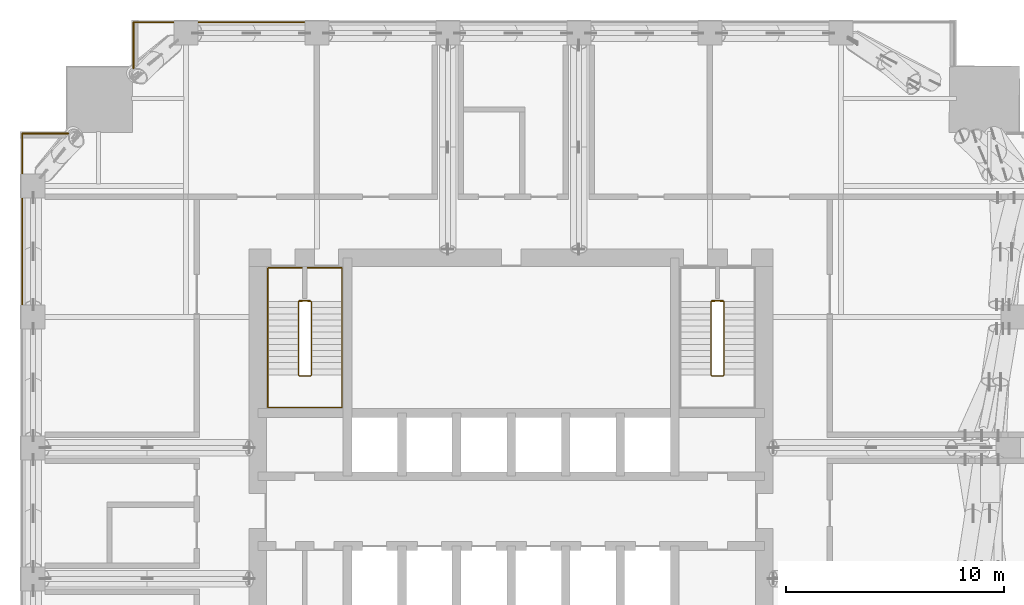
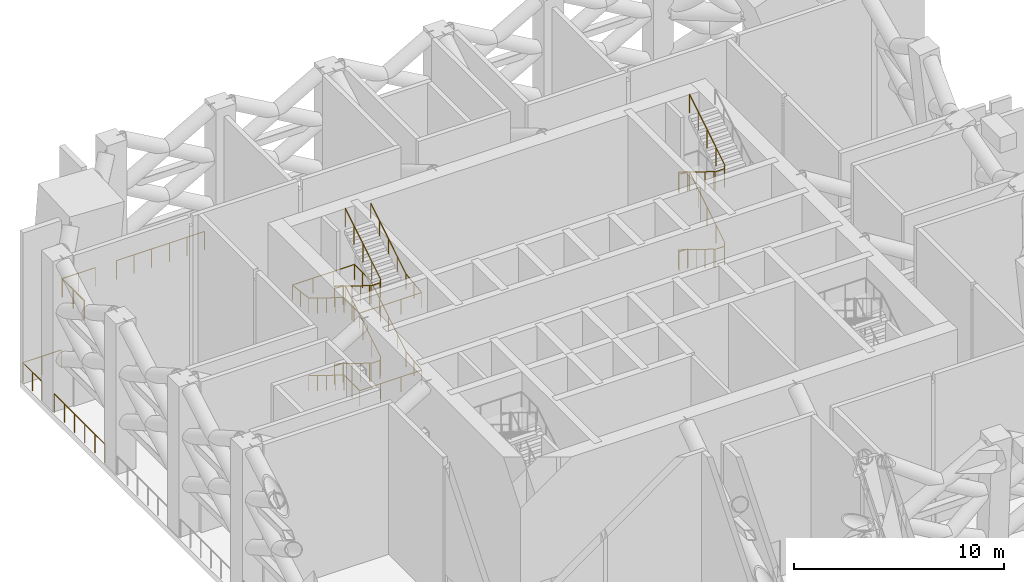
# One storey, part 18 of 19: 9 railings.
"""IFC4 building model written with IfcOpenShell, lengths in metres."""

from ifc_helpers import new_model, si_unit, direction, frame, origin, origin_2d, place, context, subcontext, project, spatial, circle, extrude, material, type_object, element, save


model = new_model("IFC4")

# Units and contexts
model_context = context("Model", 3, precision=1e-05, world=origin(), true_north=direction((0.0, 1.0)))
body_context = subcontext(model_context, "Body", "Model", "MODEL_VIEW")
ifc_project = project(units=[si_unit("LENGTHUNIT", "METRE"), si_unit("AREAUNIT", "SQUARE_METRE"), si_unit("VOLUMEUNIT", "CUBIC_METRE"), si_unit("PLANEANGLEUNIT", "RADIAN"), si_unit("MASSUNIT", "GRAM", prefix="KILO")], contexts=[model_context])

# Site, building, storey
site_placement = place(None, origin())
site = spatial("IfcSite", under=ifc_project, at=site_placement, CompositionType="ELEMENT")
building_placement = place(site_placement, origin())
building = spatial("IfcBuilding", under=site, at=building_placement, Name="Amberfall Residences", CompositionType="ELEMENT")
storey_placement = place(building_placement, frame((0.0, 0.0, 124.89990234375)))
storey = spatial("IfcBuildingStorey", under=building, at=storey_placement, Name="L34", CompositionType="ELEMENT", Elevation=124.89990234375)

# Railings
ifc_material_1 = material(Name="Bronze anodised aluminium and laminated glass", Category="aluminium")
railing_type_1 = type_object("IfcRailingType", Name="Refuge edge guard 1100", PredefinedType="GUARDRAIL", material=ifc_material_1)
railing_1_placement = place(storey_placement, frame((52.10009765625, 54.97998046875, 0.0)))
element("IfcRailing", 1, at=railing_1_placement, inside=storey, type_object=railing_type_1, Name="Refuge edge guard L34 19", PredefinedType="GUARDRAIL", context=body_context, shape_type="SweptSolid", body=[
    extrude(circle(Radius=0.02392578125, at=origin_2d()), frame((0.0, 0.0, 1.076171875), z_axis=(0.0, 1.0, 0.0), x_axis=(-1.0, 0.0, 0.0)), (0.0, 0.0, 1.0), 4.840087890625),
    extrude(circle(Radius=0.02099609375, at=origin_2d()), origin(), (0.0, 0.0, 1.0), 1.052001953125),
    extrude(circle(Radius=0.02099609375, at=origin_2d()), frame((0.0, 0.968017578125, 0.0)), (0.0, 0.0, 1.0), 1.052001953125),
    extrude(circle(Radius=0.02099609375, at=origin_2d()), frame((0.0, 1.93603515625, 0.0)), (0.0, 0.0, 1.0), 1.052001953125),
    extrude(circle(Radius=0.02099609375, at=origin_2d()), frame((0.0, 2.904052734375, 0.0)), (0.0, 0.0, 1.0), 1.052001953125),
    extrude(circle(Radius=0.02099609375, at=origin_2d()), frame((0.0, 3.8720703125, 0.0)), (0.0, 0.0, 1.0), 1.052001953125),
    extrude(circle(Radius=0.02099609375, at=origin_2d()), frame((0.0, 4.840087890625, 0.0)), (0.0, 0.0, 1.0), 1.052001953125),
])
railing_2_placement = place(storey_placement, frame((52.10009765625, 60.97998046875, 0.0)))
element("IfcRailing", 2, at=railing_2_placement, inside=storey, type_object=railing_type_1, Name="Refuge edge guard L34 20", PredefinedType="GUARDRAIL", context=body_context, shape_type="SweptSolid", body=[
    extrude(circle(Radius=0.02392578125, at=origin_2d()), frame((0.0, 0.0, 1.076171875), z_axis=(0.0, 1.0, 0.0), x_axis=(-1.0, 0.0, 0.0)), (0.0, 0.0, 1.0), 1.820068359375),
    extrude(circle(Radius=0.02099609375, at=origin_2d()), origin(), (0.0, 0.0, 1.0), 1.052001953125),
    extrude(circle(Radius=0.02099609375, at=origin_2d()), frame((0.0, 0.91015625, 0.0)), (0.0, 0.0, 1.0), 1.052001953125),
    extrude(circle(Radius=0.02099609375, at=origin_2d()), frame((0.0, 1.820068359375, 0.0)), (0.0, 0.0, 1.0), 1.052001953125),
])
railing_3_placement = place(storey_placement, frame((52.10009765625, 62.800048828125, 0.0)))
element("IfcRailing", 3, at=railing_3_placement, inside=storey, type_object=railing_type_1, Name="Refuge edge guard L34 21", PredefinedType="GUARDRAIL", context=body_context, shape_type="SweptSolid", body=[
    extrude(circle(Radius=0.02392578125, at=origin_2d()), frame((0.0, 0.0, 1.076171875), z_axis=(1.0, 0.0, 0.0), x_axis=(0.0, 1.0, 0.0)), (0.0, 0.0, 1.0), 2.108154296875),
    extrude(circle(Radius=0.02099609375, at=origin_2d()), origin(), (0.0, 0.0, 1.0), 1.052001953125),
    extrude(circle(Radius=0.02099609375, at=origin_2d()), frame((1.05419921875, 0.0, 0.0)), (0.0, 0.0, 1.0), 1.052001953125),
    extrude(circle(Radius=0.02099609375, at=origin_2d()), frame((2.108154296875, 0.0, 0.0)), (0.0, 0.0, 1.0), 1.052001953125),
])
railing_4_placement = place(storey_placement, frame((57.199951171875, 65.791748046875, 0.0)))
element("IfcRailing", 4, at=railing_4_placement, inside=storey, type_object=railing_type_1, Name="Refuge edge guard L34 22", PredefinedType="GUARDRAIL", context=body_context, shape_type="SweptSolid", body=[
    extrude(circle(Radius=0.02392578125, at=origin_2d()), frame((0.0, 0.0, 1.076171875), z_axis=(0.0, 1.0, 0.0), x_axis=(-1.0, 0.0, 0.0)), (0.0, 0.0, 1.0), 2.108154296875),
    extrude(circle(Radius=0.02099609375, at=origin_2d()), origin(), (0.0, 0.0, 1.0), 1.052001953125),
    extrude(circle(Radius=0.02099609375, at=origin_2d()), frame((0.0, 1.05419921875, 0.0)), (0.0, 0.0, 1.0), 1.052001953125),
    extrude(circle(Radius=0.02099609375, at=origin_2d()), frame((0.0, 2.108154296875, 0.0)), (0.0, 0.0, 1.0), 1.052001953125),
])
railing_5_placement = place(storey_placement, frame((57.199951171875, 67.89990234375, 0.0)))
element("IfcRailing", 5, at=railing_5_placement, inside=storey, type_object=railing_type_1, Name="Refuge edge guard L34 23", PredefinedType="GUARDRAIL", context=body_context, shape_type="SweptSolid", body=[
    extrude(circle(Radius=0.02392578125, at=origin_2d()), frame((0.0, 0.0, 1.076171875), z_axis=(1.0, 0.0, 0.0), x_axis=(0.0, 1.0, 0.0)), (0.0, 0.0, 1.0), 1.820068359375),
    extrude(circle(Radius=0.02099609375, at=origin_2d()), origin(), (0.0, 0.0, 1.0), 1.052001953125),
    extrude(circle(Radius=0.02099609375, at=origin_2d()), frame((0.91015625, 0.0, 0.0)), (0.0, 0.0, 1.0), 1.052001953125),
    extrude(circle(Radius=0.02099609375, at=origin_2d()), frame((1.820068359375, 0.0, 0.0)), (0.0, 0.0, 1.0), 1.052001953125),
])
railing_6_placement = place(storey_placement, frame((60.179931640625, 67.89990234375, 0.0)))
element("IfcRailing", 6, at=railing_6_placement, inside=storey, type_object=railing_type_1, Name="Refuge edge guard L34 24", PredefinedType="GUARDRAIL", context=body_context, shape_type="SweptSolid", body=[
    extrude(circle(Radius=0.02392578125, at=origin_2d()), frame((0.0, 0.0, 1.076171875), z_axis=(1.0, 0.0, 0.0), x_axis=(0.0, 1.0, 0.0)), (0.0, 0.0, 1.0), 4.840087890625),
    extrude(circle(Radius=0.02099609375, at=origin_2d()), origin(), (0.0, 0.0, 1.0), 1.052001953125),
    extrude(circle(Radius=0.02099609375, at=origin_2d()), frame((0.968017578125, 0.0, 0.0)), (0.0, 0.0, 1.0), 1.052001953125),
    extrude(circle(Radius=0.02099609375, at=origin_2d()), frame((1.93603515625, 0.0, 0.0)), (0.0, 0.0, 1.0), 1.052001953125),
    extrude(circle(Radius=0.02099609375, at=origin_2d()), frame((2.904052734375, 0.0, 0.0)), (0.0, 0.0, 1.0), 1.052001953125),
    extrude(circle(Radius=0.02099609375, at=origin_2d()), frame((3.8720703125, 0.0, 0.0)), (0.0, 0.0, 1.0), 1.052001953125),
    extrude(circle(Radius=0.02099609375, at=origin_2d()), frame((4.840087890625, 0.0, 0.0)), (0.0, 0.0, 1.0), 1.052001953125),
])
ifc_material_2 = material(Name="Stainless steel 316", Category="steel")
railing_type_2 = type_object("IfcRailingType", Name="Stair guard 1100", PredefinedType="GUARDRAIL", material=ifc_material_2)
railing_7_placement = place(storey_placement, frame((84.199951171875, 55.14990234375, 0.0)))
element("IfcRailing", 7, at=railing_7_placement, inside=storey, type_object=railing_type_2, Name="L34 stair 3 guard", PredefinedType="GUARDRAIL", context=body_context, shape_type="SweptSolid", body=[
    extrude(circle(Radius=0.02392578125, at=origin_2d()), frame((0.0, 0.0, 1.076171875), z_axis=(-1.0, 0.0, 0.0), x_axis=(0.0, -1.0, 0.0)), (0.0, 0.0, 1.0), 0.5),
    extrude(circle(Radius=0.02392578125, at=origin_2d()), frame((-0.5, 0.0, 1.076171875), z_axis=(-0.267723051232, -0.266417085129, 0.925929967433), x_axis=(0.705375805398, -0.708833529934, 0.0)), (0.0, 0.0, 1.0), 0.18701171875),
    extrude(circle(Radius=0.02392578125, at=origin_2d()), frame((-0.550048828125, -0.0498046875, 1.2490234375), z_axis=(0.0, -0.850623216509, 0.525775754039), x_axis=(1.0, 0.0, 0.0)), (0.0, 0.0, 1.0), 3.9501953125),
    extrude(circle(Radius=0.02392578125, at=origin_2d()), frame((-0.550048828125, -3.409912109375, 3.326171875), z_axis=(0.707106781187, -0.707106781187, 0.0), x_axis=(0.707106781187, 0.707106781187, 0.0)), (0.0, 0.0, 1.0), 0.07080078125),
    extrude(circle(Radius=0.02392578125, at=origin_2d()), frame((-0.5, -3.4599609375, 3.326171875), z_axis=(1.0, 0.0, 0.0), x_axis=(0.0, 1.0, 0.0)), (0.0, 0.0, 1.0), 0.5),
    extrude(circle(Radius=0.02392578125, at=origin_2d()), frame((0.0, -3.4599609375, 3.326171875), z_axis=(0.267629722418, 0.267629722418, 0.925607186314), x_axis=(-0.707106781187, 0.707106781187, 0.0)), (0.0, 0.0, 1.0), 0.18701171875),
    extrude(circle(Radius=0.02392578125, at=origin_2d()), frame((0.050048828125, -3.409912109375, 3.4990234375), z_axis=(0.0, 0.850623216509, 0.525775754039), x_axis=(-1.0, 0.0, 0.0)), (0.0, 0.0, 1.0), 3.9501953125),
    extrude(circle(Radius=0.02392578125, at=origin_2d()), frame((0.050048828125, -0.0498046875, 5.576171875), z_axis=(-0.99592575169, 0.09017703211, 0.0), x_axis=(-0.09017703211, -0.99592575169, 0.0)), (0.0, 0.0, 1.0), 0.55224609375),
    extrude(circle(Radius=0.02392578125, at=origin_2d()), frame((-0.5, 0.0, 5.576171875), z_axis=(1.0, 0.0, 0.0), x_axis=(0.0, 1.0, 0.0)), (0.0, 0.0, 1.0), 0.5),
    extrude(circle(Radius=0.02392578125, at=origin_2d()), frame((0.0, 0.0, 5.576171875), z_axis=(-0.950344817969, -0.086049863678, 0.299065457585), x_axis=(0.09017703211, -0.99592575169, 0.0)), (0.0, 0.0, 1.0), 0.578857421875),
    extrude(circle(Radius=0.02392578125, at=origin_2d()), frame((-0.550048828125, -0.0498046875, 5.7490234375), z_axis=(0.0, -0.850623216509, 0.525775754039), x_axis=(1.0, 0.0, 0.0)), (0.0, 0.0, 1.0), 3.9501953125),
    extrude(circle(Radius=0.02392578125, at=origin_2d()), frame((-0.550048828125, -3.409912109375, 7.826171875), z_axis=(0.707106781187, -0.707106781187, 0.0), x_axis=(0.707106781187, 0.707106781187, 0.0)), (0.0, 0.0, 1.0), 0.07080078125),
    extrude(circle(Radius=0.02392578125, at=origin_2d()), frame((-0.5, -3.4599609375, 7.826171875), z_axis=(1.0, 0.0, 0.0), x_axis=(0.0, 1.0, 0.0)), (0.0, 0.0, 1.0), 0.5),
    extrude(circle(Radius=0.02392578125, at=origin_2d()), frame((0.0, -3.4599609375, 7.826171875), z_axis=(0.267629722418, 0.267629722418, 0.925607186314), x_axis=(-0.707106781187, 0.707106781187, 0.0)), (0.0, 0.0, 1.0), 0.18701171875),
    extrude(circle(Radius=0.02392578125, at=origin_2d()), frame((0.050048828125, -3.409912109375, 7.9990234375), z_axis=(0.0, 0.850623216509, 0.525775754039), x_axis=(-1.0, 0.0, 0.0)), (0.0, 0.0, 1.0), 3.9501953125),
    extrude(circle(Radius=0.02099609375, at=origin_2d()), origin(), (0.0, 0.0, 1.0), 1.052001953125),
    extrude(circle(Radius=0.02099609375, at=origin_2d()), frame((-0.5, 0.0, 0.0)), (0.0, 0.0, 1.0), 1.052001953125),
    extrude(circle(Radius=0.02099609375, at=origin_2d()), frame((-0.550048828125, -0.0498046875, 0.173095703125)), (0.0, 0.0, 1.0), 1.052001953125),
    extrude(circle(Radius=0.02099609375, at=origin_2d()), frame((-0.550048828125, -0.889892578125, 0.6923828125)), (0.0, 0.0, 1.0), 1.052001953125),
    extrude(circle(Radius=0.02099609375, at=origin_2d()), frame((-0.550048828125, -1.72998046875, 1.21142578125)), (0.0, 0.0, 1.0), 1.052001953125),
    extrude(circle(Radius=0.02099609375, at=origin_2d()), frame((-0.550048828125, -2.56982421875, 1.730712890625)), (0.0, 0.0, 1.0), 1.052001953125),
    extrude(circle(Radius=0.02099609375, at=origin_2d()), frame((-0.550048828125, -3.409912109375, 2.25)), (0.0, 0.0, 1.0), 1.052001953125),
    extrude(circle(Radius=0.02099609375, at=origin_2d()), frame((-0.5, -3.4599609375, 2.25)), (0.0, 0.0, 1.0), 1.052001953125),
    extrude(circle(Radius=0.02099609375, at=origin_2d()), frame((0.0, -3.4599609375, 2.25)), (0.0, 0.0, 1.0), 1.052001953125),
    extrude(circle(Radius=0.02099609375, at=origin_2d()), frame((0.050048828125, -3.409912109375, 2.423095703125)), (0.0, 0.0, 1.0), 1.052001953125),
    extrude(circle(Radius=0.02099609375, at=origin_2d()), frame((0.050048828125, -2.56982421875, 2.9423828125)), (0.0, 0.0, 1.0), 1.052001953125),
    extrude(circle(Radius=0.02099609375, at=origin_2d()), frame((0.050048828125, -1.72998046875, 3.46142578125)), (0.0, 0.0, 1.0), 1.052001953125),
    extrude(circle(Radius=0.02099609375, at=origin_2d()), frame((0.050048828125, -0.889892578125, 3.980712890625)), (0.0, 0.0, 1.0), 1.052001953125),
    extrude(circle(Radius=0.02099609375, at=origin_2d()), frame((0.050048828125, -0.0498046875, 4.5)), (0.0, 0.0, 1.0), 1.052001953125),
    extrude(circle(Radius=0.02099609375, at=origin_2d()), frame((-0.5, 0.0, 4.5)), (0.0, 0.0, 1.0), 1.052001953125),
    extrude(circle(Radius=0.02099609375, at=origin_2d()), frame((0.0, 0.0, 4.5)), (0.0, 0.0, 1.0), 1.052001953125),
    extrude(circle(Radius=0.02099609375, at=origin_2d()), frame((-0.550048828125, -0.0498046875, 4.673095703125)), (0.0, 0.0, 1.0), 1.052001953125),
    extrude(circle(Radius=0.02099609375, at=origin_2d()), frame((-0.550048828125, -0.889892578125, 5.1923828125)), (0.0, 0.0, 1.0), 1.052001953125),
    extrude(circle(Radius=0.02099609375, at=origin_2d()), frame((-0.550048828125, -1.72998046875, 5.71142578125)), (0.0, 0.0, 1.0), 1.052001953125),
    extrude(circle(Radius=0.02099609375, at=origin_2d()), frame((-0.550048828125, -2.56982421875, 6.230712890625)), (0.0, 0.0, 1.0), 1.052001953125),
    extrude(circle(Radius=0.02099609375, at=origin_2d()), frame((-0.550048828125, -3.409912109375, 6.75)), (0.0, 0.0, 1.0), 1.052001953125),
    extrude(circle(Radius=0.02099609375, at=origin_2d()), frame((-0.5, -3.4599609375, 6.75)), (0.0, 0.0, 1.0), 1.052001953125),
    extrude(circle(Radius=0.02099609375, at=origin_2d()), frame((0.0, -3.4599609375, 6.75)), (0.0, 0.0, 1.0), 1.052001953125),
    extrude(circle(Radius=0.02099609375, at=origin_2d()), frame((0.050048828125, -3.409912109375, 6.923095703125)), (0.0, 0.0, 1.0), 1.052001953125),
    extrude(circle(Radius=0.02099609375, at=origin_2d()), frame((0.050048828125, -2.56982421875, 7.4423828125)), (0.0, 0.0, 1.0), 1.052001953125),
    extrude(circle(Radius=0.02099609375, at=origin_2d()), frame((0.050048828125, -1.72998046875, 7.96142578125)), (0.0, 0.0, 1.0), 1.052001953125),
    extrude(circle(Radius=0.02099609375, at=origin_2d()), frame((0.050048828125, -0.889892578125, 8.480712890625)), (0.0, 0.0, 1.0), 1.052001953125),
    extrude(circle(Radius=0.02099609375, at=origin_2d()), frame((0.050048828125, -0.0498046875, 9.0)), (0.0, 0.0, 1.0), 1.052001953125),
])
railing_8_placement = place(storey_placement, frame((65.300048828125, 55.14990234375, 0.0)))
element("IfcRailing", 8, at=railing_8_placement, inside=storey, type_object=railing_type_2, Name="L34 stair 4 guard", PredefinedType="GUARDRAIL", context=body_context, shape_type="SweptSolid", body=[
    extrude(circle(Radius=0.02392578125, at=origin_2d()), frame((0.0, 0.0, 1.076171875), z_axis=(-1.0, 0.0, 0.0), x_axis=(0.0, -1.0, 0.0)), (0.0, 0.0, 1.0), 0.5),
    extrude(circle(Radius=0.02392578125, at=origin_2d()), frame((-0.5, 0.0, 1.076171875), z_axis=(-0.267723051232, -0.266417085129, 0.925929967433), x_axis=(0.705375805398, -0.708833529934, 0.0)), (0.0, 0.0, 1.0), 0.18701171875),
    extrude(circle(Radius=0.02392578125, at=origin_2d()), frame((-0.550048828125, -0.0498046875, 1.2490234375), z_axis=(0.0, -0.850623216509, 0.525775754039), x_axis=(1.0, 0.0, 0.0)), (0.0, 0.0, 1.0), 3.9501953125),
    extrude(circle(Radius=0.02392578125, at=origin_2d()), frame((-0.550048828125, -3.409912109375, 3.326171875), z_axis=(0.707106781187, -0.707106781187, 0.0), x_axis=(0.707106781187, 0.707106781187, 0.0)), (0.0, 0.0, 1.0), 0.07080078125),
    extrude(circle(Radius=0.02392578125, at=origin_2d()), frame((-0.5, -3.4599609375, 3.326171875), z_axis=(1.0, 0.0, 0.0), x_axis=(0.0, 1.0, 0.0)), (0.0, 0.0, 1.0), 0.5),
    extrude(circle(Radius=0.02392578125, at=origin_2d()), frame((0.0, -3.4599609375, 3.326171875), z_axis=(0.267629722418, 0.267629722418, 0.925607186314), x_axis=(-0.707106781187, 0.707106781187, 0.0)), (0.0, 0.0, 1.0), 0.18701171875),
    extrude(circle(Radius=0.02392578125, at=origin_2d()), frame((0.050048828125, -3.409912109375, 3.4990234375), z_axis=(0.0, 0.850623216509, 0.525775754039), x_axis=(-1.0, 0.0, 0.0)), (0.0, 0.0, 1.0), 3.9501953125),
    extrude(circle(Radius=0.02392578125, at=origin_2d()), frame((0.050048828125, -0.0498046875, 5.576171875), z_axis=(-0.99592575169, 0.09017703211, 0.0), x_axis=(-0.09017703211, -0.99592575169, 0.0)), (0.0, 0.0, 1.0), 0.55224609375),
    extrude(circle(Radius=0.02392578125, at=origin_2d()), frame((-0.5, 0.0, 5.576171875), z_axis=(1.0, 0.0, 0.0), x_axis=(0.0, 1.0, 0.0)), (0.0, 0.0, 1.0), 0.5),
    extrude(circle(Radius=0.02392578125, at=origin_2d()), frame((0.0, 0.0, 5.576171875), z_axis=(-0.950344817969, -0.086049863678, 0.299065457585), x_axis=(0.09017703211, -0.99592575169, 0.0)), (0.0, 0.0, 1.0), 0.578857421875),
    extrude(circle(Radius=0.02392578125, at=origin_2d()), frame((-0.550048828125, -0.0498046875, 5.7490234375), z_axis=(0.0, -0.850623216509, 0.525775754039), x_axis=(1.0, 0.0, 0.0)), (0.0, 0.0, 1.0), 3.9501953125),
    extrude(circle(Radius=0.02392578125, at=origin_2d()), frame((-0.550048828125, -3.409912109375, 7.826171875), z_axis=(0.707106781187, -0.707106781187, 0.0), x_axis=(0.707106781187, 0.707106781187, 0.0)), (0.0, 0.0, 1.0), 0.07080078125),
    extrude(circle(Radius=0.02392578125, at=origin_2d()), frame((-0.5, -3.4599609375, 7.826171875), z_axis=(1.0, 0.0, 0.0), x_axis=(0.0, 1.0, 0.0)), (0.0, 0.0, 1.0), 0.5),
    extrude(circle(Radius=0.02392578125, at=origin_2d()), frame((0.0, -3.4599609375, 7.826171875), z_axis=(0.267629722418, 0.267629722418, 0.925607186314), x_axis=(-0.707106781187, 0.707106781187, 0.0)), (0.0, 0.0, 1.0), 0.18701171875),
    extrude(circle(Radius=0.02392578125, at=origin_2d()), frame((0.050048828125, -3.409912109375, 7.9990234375), z_axis=(0.0, 0.850623216509, 0.525775754039), x_axis=(-1.0, 0.0, 0.0)), (0.0, 0.0, 1.0), 3.9501953125),
    extrude(circle(Radius=0.02099609375, at=origin_2d()), origin(), (0.0, 0.0, 1.0), 1.052001953125),
    extrude(circle(Radius=0.02099609375, at=origin_2d()), frame((-0.5, 0.0, 0.0)), (0.0, 0.0, 1.0), 1.052001953125),
    extrude(circle(Radius=0.02099609375, at=origin_2d()), frame((-0.550048828125, -0.0498046875, 0.173095703125)), (0.0, 0.0, 1.0), 1.052001953125),
    extrude(circle(Radius=0.02099609375, at=origin_2d()), frame((-0.550048828125, -0.889892578125, 0.6923828125)), (0.0, 0.0, 1.0), 1.052001953125),
    extrude(circle(Radius=0.02099609375, at=origin_2d()), frame((-0.550048828125, -1.72998046875, 1.21142578125)), (0.0, 0.0, 1.0), 1.052001953125),
    extrude(circle(Radius=0.02099609375, at=origin_2d()), frame((-0.550048828125, -2.56982421875, 1.730712890625)), (0.0, 0.0, 1.0), 1.052001953125),
    extrude(circle(Radius=0.02099609375, at=origin_2d()), frame((-0.550048828125, -3.409912109375, 2.25)), (0.0, 0.0, 1.0), 1.052001953125),
    extrude(circle(Radius=0.02099609375, at=origin_2d()), frame((-0.5, -3.4599609375, 2.25)), (0.0, 0.0, 1.0), 1.052001953125),
    extrude(circle(Radius=0.02099609375, at=origin_2d()), frame((0.0, -3.4599609375, 2.25)), (0.0, 0.0, 1.0), 1.052001953125),
    extrude(circle(Radius=0.02099609375, at=origin_2d()), frame((0.050048828125, -3.409912109375, 2.423095703125)), (0.0, 0.0, 1.0), 1.052001953125),
    extrude(circle(Radius=0.02099609375, at=origin_2d()), frame((0.050048828125, -2.56982421875, 2.9423828125)), (0.0, 0.0, 1.0), 1.052001953125),
    extrude(circle(Radius=0.02099609375, at=origin_2d()), frame((0.050048828125, -1.72998046875, 3.46142578125)), (0.0, 0.0, 1.0), 1.052001953125),
    extrude(circle(Radius=0.02099609375, at=origin_2d()), frame((0.050048828125, -0.889892578125, 3.980712890625)), (0.0, 0.0, 1.0), 1.052001953125),
    extrude(circle(Radius=0.02099609375, at=origin_2d()), frame((0.050048828125, -0.0498046875, 4.5)), (0.0, 0.0, 1.0), 1.052001953125),
    extrude(circle(Radius=0.02099609375, at=origin_2d()), frame((-0.5, 0.0, 4.5)), (0.0, 0.0, 1.0), 1.052001953125),
    extrude(circle(Radius=0.02099609375, at=origin_2d()), frame((0.0, 0.0, 4.5)), (0.0, 0.0, 1.0), 1.052001953125),
    extrude(circle(Radius=0.02099609375, at=origin_2d()), frame((-0.550048828125, -0.0498046875, 4.673095703125)), (0.0, 0.0, 1.0), 1.052001953125),
    extrude(circle(Radius=0.02099609375, at=origin_2d()), frame((-0.550048828125, -0.889892578125, 5.1923828125)), (0.0, 0.0, 1.0), 1.052001953125),
    extrude(circle(Radius=0.02099609375, at=origin_2d()), frame((-0.550048828125, -1.72998046875, 5.71142578125)), (0.0, 0.0, 1.0), 1.052001953125),
    extrude(circle(Radius=0.02099609375, at=origin_2d()), frame((-0.550048828125, -2.56982421875, 6.230712890625)), (0.0, 0.0, 1.0), 1.052001953125),
    extrude(circle(Radius=0.02099609375, at=origin_2d()), frame((-0.550048828125, -3.409912109375, 6.75)), (0.0, 0.0, 1.0), 1.052001953125),
    extrude(circle(Radius=0.02099609375, at=origin_2d()), frame((-0.5, -3.4599609375, 6.75)), (0.0, 0.0, 1.0), 1.052001953125),
    extrude(circle(Radius=0.02099609375, at=origin_2d()), frame((0.0, -3.4599609375, 6.75)), (0.0, 0.0, 1.0), 1.052001953125),
    extrude(circle(Radius=0.02099609375, at=origin_2d()), frame((0.050048828125, -3.409912109375, 6.923095703125)), (0.0, 0.0, 1.0), 1.052001953125),
    extrude(circle(Radius=0.02099609375, at=origin_2d()), frame((0.050048828125, -2.56982421875, 7.4423828125)), (0.0, 0.0, 1.0), 1.052001953125),
    extrude(circle(Radius=0.02099609375, at=origin_2d()), frame((0.050048828125, -1.72998046875, 7.96142578125)), (0.0, 0.0, 1.0), 1.052001953125),
    extrude(circle(Radius=0.02099609375, at=origin_2d()), frame((0.050048828125, -0.889892578125, 8.480712890625)), (0.0, 0.0, 1.0), 1.052001953125),
    extrude(circle(Radius=0.02099609375, at=origin_2d()), frame((0.050048828125, -0.0498046875, 9.0)), (0.0, 0.0, 1.0), 1.052001953125),
])
railing_type_3 = type_object("IfcRailingType", Name="Stair handrail 900", PredefinedType="HANDRAIL", material=ifc_material_2)
railing_9_placement = place(storey_placement, frame((63.35009765625, 55.10009765625, 0.173095703125)))
element("IfcRailing", 9, at=railing_9_placement, inside=storey, type_object=railing_type_3, Name="L34 stair 4 handrail", PredefinedType="HANDRAIL", context=body_context, shape_type="SweptSolid", body=[
    extrude(circle(Radius=0.02392578125, at=origin_2d()), frame((0.0, 0.0, 0.8759765625), z_axis=(0.0, -0.850623216509, 0.525775754039), x_axis=(1.0, 0.0, 0.0)), (0.0, 0.0, 1.0), 3.9501953125),
    extrude(circle(Radius=0.02392578125, at=origin_2d()), frame((0.0, -3.360107421875, 2.95263671875), z_axis=(0.0, -1.0, 0.0), x_axis=(1.0, 0.0, 0.0)), (0.0, 0.0, 1.0), 1.489990234375),
    extrude(circle(Radius=0.02392578125, at=origin_2d()), frame((0.0, -4.85009765625, 2.95263671875), z_axis=(1.0, 0.0, 0.0), x_axis=(0.0, 1.0, 0.0)), (0.0, 0.0, 1.0), 3.39990234375),
    extrude(circle(Radius=0.02392578125, at=origin_2d()), frame((3.39990234375, -4.85009765625, 2.95263671875), z_axis=(0.0, 0.993319533971, 0.115396288642), x_axis=(-1.0, 0.0, 0.0)), (0.0, 0.0, 1.0), 1.5),
    extrude(circle(Radius=0.02392578125, at=origin_2d()), frame((3.39990234375, -3.360107421875, 3.1259765625), z_axis=(0.0, 0.850623216509, 0.525775754039), x_axis=(-1.0, 0.0, 0.0)), (0.0, 0.0, 1.0), 3.9501953125),
    extrude(circle(Radius=0.02392578125, at=origin_2d()), frame((3.39990234375, 0.0, 5.20263671875), z_axis=(0.0, 1.0, 0.0), x_axis=(-1.0, 0.0, 0.0)), (0.0, 0.0, 1.0), 1.5498046875),
    extrude(circle(Radius=0.02392578125, at=origin_2d()), frame((3.39990234375, 1.5498046875, 5.20263671875), z_axis=(-1.0, 0.0, 0.0), x_axis=(0.0, -1.0, 0.0)), (0.0, 0.0, 1.0), 3.39990234375),
    extrude(circle(Radius=0.02392578125, at=origin_2d()), frame((0.0, 1.5498046875, 5.20263671875), z_axis=(0.0, -0.993820568478, 0.110998548055), x_axis=(1.0, 0.0, 0.0)), (0.0, 0.0, 1.0), 1.559326171875),
    extrude(circle(Radius=0.02392578125, at=origin_2d()), frame((0.0, 0.0, 5.3759765625), z_axis=(0.0, -0.850623216509, 0.525775754039), x_axis=(1.0, 0.0, 0.0)), (0.0, 0.0, 1.0), 3.9501953125),
    extrude(circle(Radius=0.02392578125, at=origin_2d()), frame((0.0, -3.360107421875, 7.45263671875), z_axis=(0.0, -1.0, 0.0), x_axis=(1.0, 0.0, 0.0)), (0.0, 0.0, 1.0), 1.489990234375),
    extrude(circle(Radius=0.02392578125, at=origin_2d()), frame((0.0, -4.85009765625, 7.45263671875), z_axis=(1.0, 0.0, 0.0), x_axis=(0.0, 1.0, 0.0)), (0.0, 0.0, 1.0), 3.39990234375),
    extrude(circle(Radius=0.02392578125, at=origin_2d()), frame((3.39990234375, -4.85009765625, 7.45263671875), z_axis=(0.0, 0.993319533971, 0.115396288642), x_axis=(-1.0, 0.0, 0.0)), (0.0, 0.0, 1.0), 1.5),
    extrude(circle(Radius=0.02392578125, at=origin_2d()), frame((3.39990234375, -3.360107421875, 7.6259765625), z_axis=(0.0, 0.850623216509, 0.525775754039), x_axis=(-1.0, 0.0, 0.0)), (0.0, 0.0, 1.0), 3.9501953125),
    extrude(circle(Radius=0.02099609375, at=origin_2d()), origin(), (0.0, 0.0, 1.0), 0.851806640625),
    extrude(circle(Radius=0.02099609375, at=origin_2d()), frame((0.0, -0.840087890625, 0.519287109375)), (0.0, 0.0, 1.0), 0.851806640625),
    extrude(circle(Radius=0.02099609375, at=origin_2d()), frame((0.0, -1.68017578125, 1.03857421875)), (0.0, 0.0, 1.0), 0.851806640625),
    extrude(circle(Radius=0.02099609375, at=origin_2d()), frame((0.0, -2.52001953125, 1.5576171875)), (0.0, 0.0, 1.0), 0.851806640625),
    extrude(circle(Radius=0.02099609375, at=origin_2d()), frame((0.0, -3.360107421875, 2.076904296875)), (0.0, 0.0, 1.0), 0.851806640625),
    extrude(circle(Radius=0.02099609375, at=origin_2d()), frame((0.0, -4.10498046875, 2.076904296875)), (0.0, 0.0, 1.0), 0.851806640625),
    extrude(circle(Radius=0.02099609375, at=origin_2d()), frame((0.0, -4.85009765625, 2.076904296875)), (0.0, 0.0, 1.0), 0.851806640625),
    extrude(circle(Radius=0.02099609375, at=origin_2d()), frame((1.13330078125, -4.85009765625, 2.076904296875)), (0.0, 0.0, 1.0), 0.851806640625),
    extrude(circle(Radius=0.02099609375, at=origin_2d()), frame((2.2666015625, -4.85009765625, 2.076904296875)), (0.0, 0.0, 1.0), 0.851806640625),
    extrude(circle(Radius=0.02099609375, at=origin_2d()), frame((3.39990234375, -4.85009765625, 2.076904296875)), (0.0, 0.0, 1.0), 0.851806640625),
    extrude(circle(Radius=0.02099609375, at=origin_2d()), frame((3.39990234375, -4.10498046875, 2.16357421875)), (0.0, 0.0, 1.0), 0.851806640625),
    extrude(circle(Radius=0.02099609375, at=origin_2d()), frame((3.39990234375, -3.360107421875, 2.25)), (0.0, 0.0, 1.0), 0.851806640625),
    extrude(circle(Radius=0.02099609375, at=origin_2d()), frame((3.39990234375, -2.52001953125, 2.769287109375)), (0.0, 0.0, 1.0), 0.851806640625),
    extrude(circle(Radius=0.02099609375, at=origin_2d()), frame((3.39990234375, -1.68017578125, 3.28857421875)), (0.0, 0.0, 1.0), 0.851806640625),
    extrude(circle(Radius=0.02099609375, at=origin_2d()), frame((3.39990234375, -0.840087890625, 3.8076171875)), (0.0, 0.0, 1.0), 0.851806640625),
    extrude(circle(Radius=0.02099609375, at=origin_2d()), frame((3.39990234375, 0.0, 4.326904296875)), (0.0, 0.0, 1.0), 0.851806640625),
    extrude(circle(Radius=0.02099609375, at=origin_2d()), frame((3.39990234375, 0.77490234375, 4.326904296875)), (0.0, 0.0, 1.0), 0.851806640625),
    extrude(circle(Radius=0.02099609375, at=origin_2d()), frame((3.39990234375, 1.5498046875, 4.326904296875)), (0.0, 0.0, 1.0), 0.851806640625),
    extrude(circle(Radius=0.02099609375, at=origin_2d()), frame((2.2666015625, 1.5498046875, 4.326904296875)), (0.0, 0.0, 1.0), 0.851806640625),
    extrude(circle(Radius=0.02099609375, at=origin_2d()), frame((1.13330078125, 1.5498046875, 4.326904296875)), (0.0, 0.0, 1.0), 0.851806640625),
    extrude(circle(Radius=0.02099609375, at=origin_2d()), frame((0.0, 1.5498046875, 4.326904296875)), (0.0, 0.0, 1.0), 0.851806640625),
    extrude(circle(Radius=0.02099609375, at=origin_2d()), frame((0.0, 0.77490234375, 4.41357421875)), (0.0, 0.0, 1.0), 0.851806640625),
    extrude(circle(Radius=0.02099609375, at=origin_2d()), frame((0.0, 0.0, 4.5)), (0.0, 0.0, 1.0), 0.851806640625),
    extrude(circle(Radius=0.02099609375, at=origin_2d()), frame((0.0, -0.840087890625, 5.019287109375)), (0.0, 0.0, 1.0), 0.851806640625),
    extrude(circle(Radius=0.02099609375, at=origin_2d()), frame((0.0, -1.68017578125, 5.53857421875)), (0.0, 0.0, 1.0), 0.851806640625),
    extrude(circle(Radius=0.02099609375, at=origin_2d()), frame((0.0, -2.52001953125, 6.0576171875)), (0.0, 0.0, 1.0), 0.851806640625),
    extrude(circle(Radius=0.02099609375, at=origin_2d()), frame((0.0, -3.360107421875, 6.576904296875)), (0.0, 0.0, 1.0), 0.851806640625),
    extrude(circle(Radius=0.02099609375, at=origin_2d()), frame((0.0, -4.10498046875, 6.576904296875)), (0.0, 0.0, 1.0), 0.851806640625),
    extrude(circle(Radius=0.02099609375, at=origin_2d()), frame((0.0, -4.85009765625, 6.576904296875)), (0.0, 0.0, 1.0), 0.851806640625),
    extrude(circle(Radius=0.02099609375, at=origin_2d()), frame((1.13330078125, -4.85009765625, 6.576904296875)), (0.0, 0.0, 1.0), 0.851806640625),
    extrude(circle(Radius=0.02099609375, at=origin_2d()), frame((2.2666015625, -4.85009765625, 6.576904296875)), (0.0, 0.0, 1.0), 0.851806640625),
    extrude(circle(Radius=0.02099609375, at=origin_2d()), frame((3.39990234375, -4.85009765625, 6.576904296875)), (0.0, 0.0, 1.0), 0.851806640625),
    extrude(circle(Radius=0.02099609375, at=origin_2d()), frame((3.39990234375, -4.10498046875, 6.66357421875)), (0.0, 0.0, 1.0), 0.851806640625),
    extrude(circle(Radius=0.02099609375, at=origin_2d()), frame((3.39990234375, -3.360107421875, 6.75)), (0.0, 0.0, 1.0), 0.851806640625),
    extrude(circle(Radius=0.02099609375, at=origin_2d()), frame((3.39990234375, -2.52001953125, 7.269287109375)), (0.0, 0.0, 1.0), 0.851806640625),
    extrude(circle(Radius=0.02099609375, at=origin_2d()), frame((3.39990234375, -1.68017578125, 7.78857421875)), (0.0, 0.0, 1.0), 0.851806640625),
    extrude(circle(Radius=0.02099609375, at=origin_2d()), frame((3.39990234375, -0.840087890625, 8.3076171875)), (0.0, 0.0, 1.0), 0.851806640625),
    extrude(circle(Radius=0.02099609375, at=origin_2d()), frame((3.39990234375, 0.0, 8.826904296875)), (0.0, 0.0, 1.0), 0.851806640625),
])

save(model, "model.ifc")
